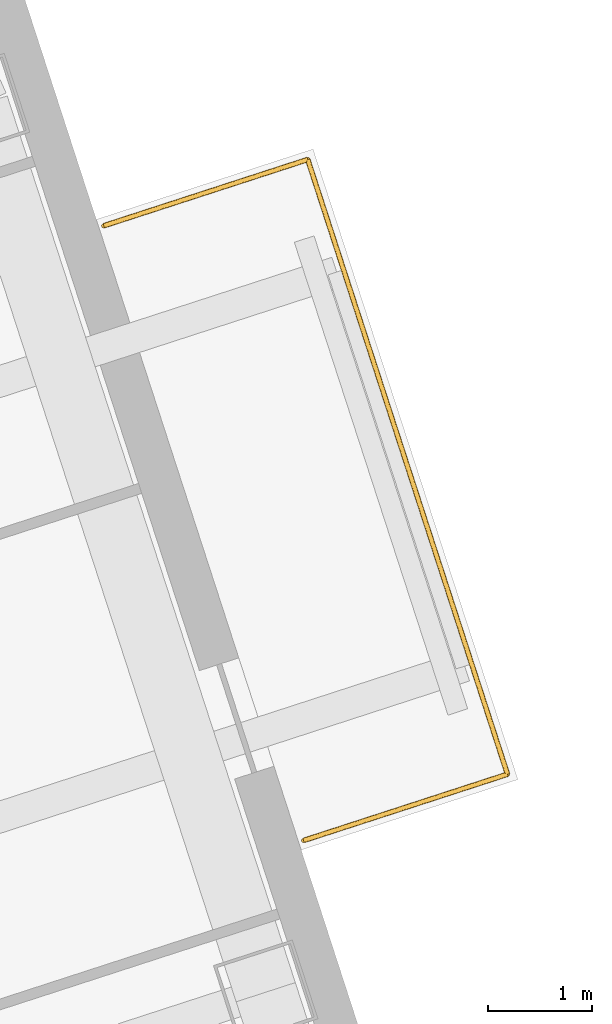
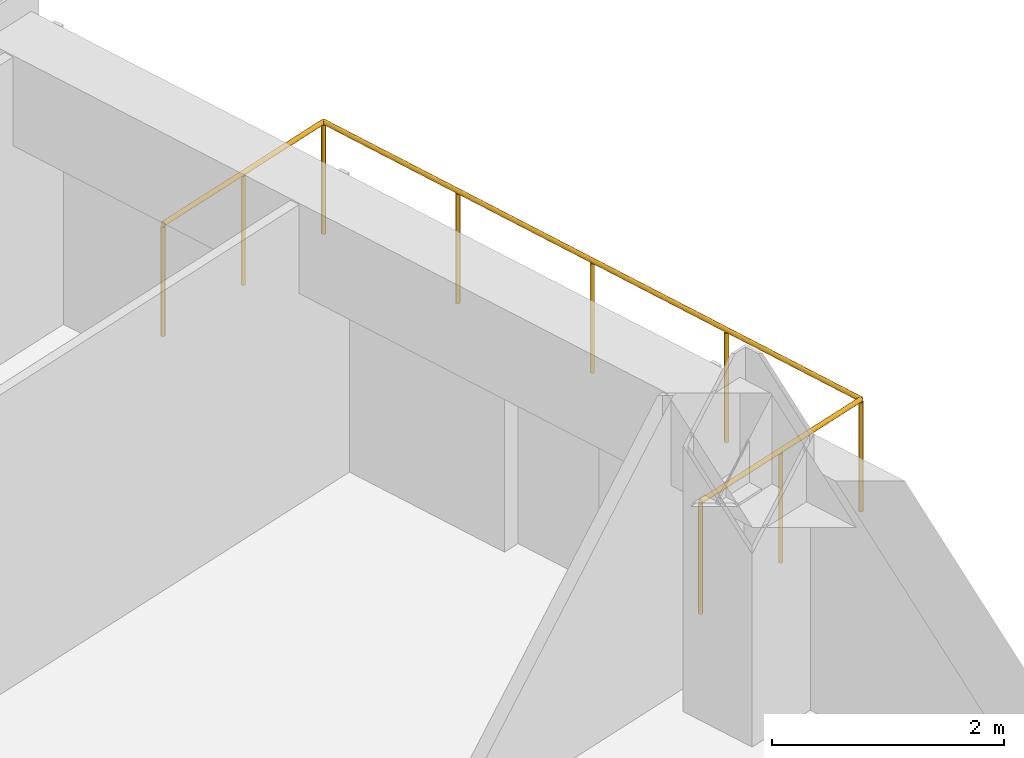
# One storey, part 17 of 17: 1 railing.
"""IFC4 building model written with IfcOpenShell, lengths in metres."""

from ifc_helpers import new_model, si_unit, direction, frame, origin, origin_2d, place, context, subcontext, project, spatial, circle, extrude, material, type_object, element, save


model = new_model("IFC4")

# Units and contexts
model_context = context("Model", 3, precision=1e-05, world=origin(), true_north=direction((0.0, 1.0)))
body_context = subcontext(model_context, "Body", "Model", "MODEL_VIEW")
ifc_project = project(units=[si_unit("LENGTHUNIT", "METRE"), si_unit("AREAUNIT", "SQUARE_METRE"), si_unit("VOLUMEUNIT", "CUBIC_METRE"), si_unit("PLANEANGLEUNIT", "RADIAN"), si_unit("MASSUNIT", "GRAM", prefix="KILO")], contexts=[model_context])

# Site, building, storey
site_placement = place(None, origin())
site = spatial("IfcSite", under=ifc_project, at=site_placement, CompositionType="ELEMENT")
building_placement = place(site_placement, origin())
building = spatial("IfcBuilding", under=site, at=building_placement, Name="Qiaolan Cultural Towers", CompositionType="ELEMENT")
storey_placement = place(building_placement, frame((0.0, 0.0, 134.550048828125)))
storey = spatial("IfcBuildingStorey", under=building, at=storey_placement, Name="L35", CompositionType="ELEMENT", Elevation=134.550048828125)

# Railing
ifc_material = material(Name="Laminated SentryGlas & Stainless Steel S31608 Balustrade", Category="steel")
railing_type = type_object("IfcRailingType", Name="GRD-TERR-1200", PredefinedType="BALUSTRADE", material=ifc_material)
railing_placement = place(storey_placement, frame((104.6787109375, 40.115234375, 0.0)))
element("IfcRailing", 1, at=railing_placement, inside=storey, type_object=railing_type, Name="L35 T2 Tree Balcony Guardrail E", PredefinedType="BALUSTRADE", context=body_context, shape_type="SweptSolid", body=[
    extrude(circle(Radius=0.02392578125, at=origin_2d()), frame((0.0, 0.0, 1.17578125), z_axis=(0.951061799618, 0.309000733507, 0.0), x_axis=(-0.309000733507, 0.951061799618, 0.0)), (0.0, 0.0, 1.0), 2.070068359375),
    extrude(circle(Radius=0.02392578125, at=origin_2d()), frame((1.96875, 0.6396484375, 1.17578125), z_axis=(-0.30901175762, 0.951058217804, 0.0), x_axis=(-0.951058217804, -0.30901175762, 0.0)), (0.0, 0.0, 1.0), 6.239990234375),
    extrude(circle(Radius=0.02392578125, at=origin_2d()), frame((0.04052734375, 6.57421875, 1.17578125), z_axis=(-0.951061799618, -0.309000733507, 0.0), x_axis=(0.309000733507, -0.951061799618, 0.0)), (0.0, 0.0, 1.0), 2.070068359375),
    extrude(circle(Radius=0.02099609375, at=origin_2d()), origin(), (0.0, 0.0, 1.0), 1.15185546875),
    extrude(circle(Radius=0.02099609375, at=origin_2d()), frame((0.984375, 0.31982421875, 0.0)), (0.0, 0.0, 1.0), 1.15185546875),
    extrude(circle(Radius=0.02099609375, at=origin_2d()), frame((1.96875, 0.6396484375, 0.0)), (0.0, 0.0, 1.0), 1.15185546875),
    extrude(circle(Radius=0.02099609375, at=origin_2d()), frame((1.48681640625, 2.123291015625, 0.0)), (0.0, 0.0, 1.0), 1.15185546875),
    extrude(circle(Radius=0.02099609375, at=origin_2d()), frame((1.004638671875, 3.60693359375, 0.0)), (0.0, 0.0, 1.0), 1.15185546875),
    extrude(circle(Radius=0.02099609375, at=origin_2d()), frame((0.5224609375, 5.090576171875, 0.0)), (0.0, 0.0, 1.0), 1.15185546875),
    extrude(circle(Radius=0.02099609375, at=origin_2d()), frame((0.04052734375, 6.57421875, 0.0)), (0.0, 0.0, 1.0), 1.15185546875),
    extrude(circle(Radius=0.02099609375, at=origin_2d()), frame((-0.94384765625, 6.25439453125, 0.0)), (0.0, 0.0, 1.0), 1.15185546875),
    extrude(circle(Radius=0.02099609375, at=origin_2d()), frame((-1.92822265625, 5.9345703125, 0.0)), (0.0, 0.0, 1.0), 1.15185546875),
])

save(model, "model.ifc")
